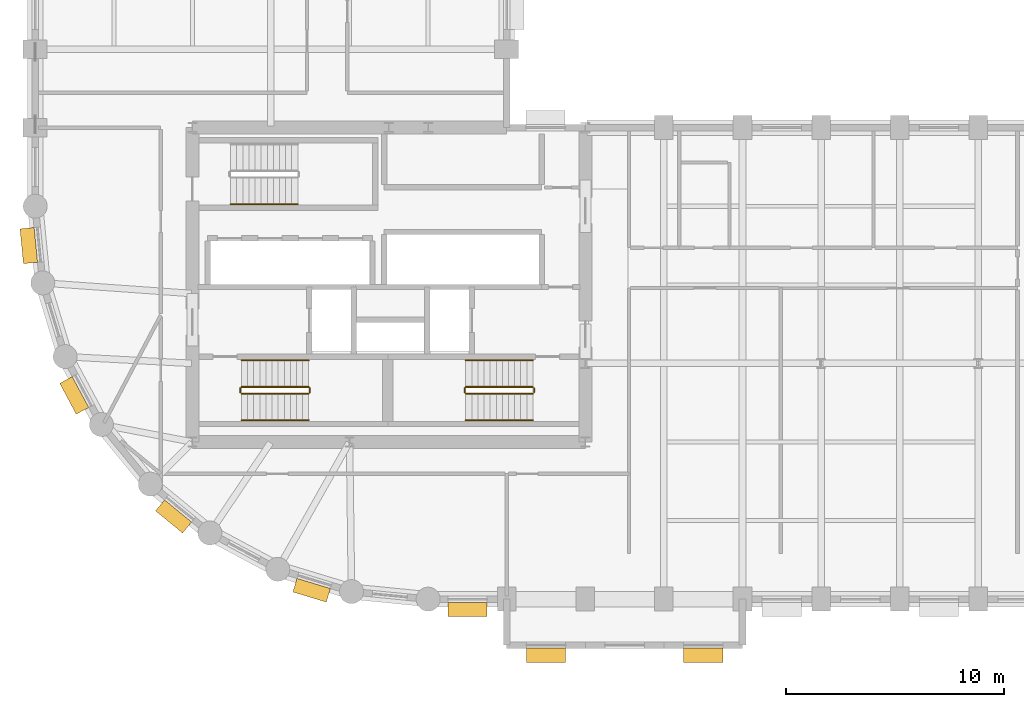
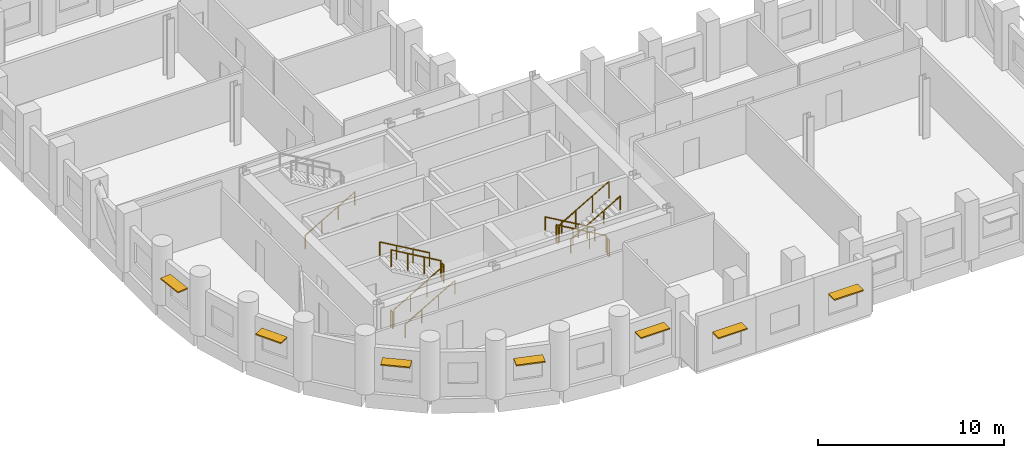
# One storey, part 8 of 10: 13 railings, 7 shading devices.
"""IFC4 building model written with IfcOpenShell, lengths in metres."""

from ifc_helpers import new_model, si_unit, direction, frame, origin, origin_2d, place, context, subcontext, project, spatial, rectangle, circle, extrude, material, layer, layer_set, type_object, element, save


model = new_model("IFC4")

# Units and contexts
model_context = context("Model", 3, precision=1e-05, world=origin(), true_north=direction((0.0, 1.0)))
body_context = subcontext(model_context, "Body", "Model", "MODEL_VIEW")
ifc_project = project(units=[si_unit("LENGTHUNIT", "METRE"), si_unit("AREAUNIT", "SQUARE_METRE"), si_unit("VOLUMEUNIT", "CUBIC_METRE"), si_unit("PLANEANGLEUNIT", "RADIAN"), si_unit("MASSUNIT", "GRAM", prefix="KILO")], contexts=[model_context])

# Site, building, storey
site_placement = place(None, origin())
site = spatial("IfcSite", under=ifc_project, at=site_placement, CompositionType="ELEMENT")
building_placement = place(site_placement, origin())
building = spatial("IfcBuilding", under=site, at=building_placement, Name="Solnavia Interchange Tower", CompositionType="ELEMENT")
storey_placement = place(building_placement, frame((0.0, 0.0, 103.5)))
storey = spatial("IfcBuildingStorey", under=building, at=storey_placement, Name="L25", CompositionType="ELEMENT", Elevation=103.5)

# Railings
ifc_material_1 = material(Name="Painted Steel Balustrade", Category="steel")
railing_type_1 = type_object("IfcRailingType", Name="Railing-StairGuard-1100", PredefinedType="GUARDRAIL", material=ifc_material_1)
railing_1_placement = place(storey_placement, frame((16.64990234375, 13.02001953125, 0.16259765625)))
element("IfcRailing", 1, at=railing_1_placement, inside=storey, type_object=railing_type_1, Name="L25 ST-1 stair guard 1", PredefinedType="GUARDRAIL", context=body_context, shape_type="SweptSolid", body=[
    extrude(circle(Radius=0.02392578125, at=origin_2d()), frame((0.0, 0.0, 1.09619140625), z_axis=(0.864920483161, 0.0, 0.501908913857), x_axis=(0.0, 1.0, 0.0)), (0.0, 0.0, 1.0), 3.56103515625),
    extrude(circle(Radius=0.02099609375, at=origin_2d()), origin(), (0.0, 0.0, 1.0), 1.072021484375),
    extrude(circle(Radius=0.02099609375, at=origin_2d()), frame((1.026611328125, 0.0, 0.595703125)), (0.0, 0.0, 1.0), 1.072021484375),
    extrude(circle(Radius=0.02099609375, at=origin_2d()), frame((2.053466796875, 0.0, 1.191650390625)), (0.0, 0.0, 1.0), 1.072021484375),
    extrude(circle(Radius=0.02099609375, at=origin_2d()), frame((3.080078125, 0.0, 1.787353515625)), (0.0, 0.0, 1.0), 1.072021484375),
])
railing_2_placement = place(storey_placement, frame((19.780029296875, 13.070068359375, 1.949951171875)))
element("IfcRailing", 2, at=railing_2_placement, inside=storey, type_object=railing_type_1, Name="L25 ST-1 stair guard 2", PredefinedType="GUARDRAIL", context=body_context, shape_type="SweptSolid", body=[
    extrude(circle(Radius=0.02392578125, at=origin_2d()), frame((0.0, 0.0, 1.09619140625), z_axis=(0.0, 1.0, 0.0), x_axis=(-1.0, 0.0, 0.0)), (0.0, 0.0, 1.0), 0.199951171875),
    extrude(circle(Radius=0.02099609375, at=origin_2d()), origin(), (0.0, 0.0, 1.0), 1.072021484375),
    extrude(circle(Radius=0.02099609375, at=origin_2d()), frame((0.0, 0.199951171875, 0.0)), (0.0, 0.0, 1.0), 1.072021484375),
])
railing_3_placement = place(storey_placement, frame((19.72998046875, 13.320068359375, 2.112548828125)))
element("IfcRailing", 3, at=railing_3_placement, inside=storey, type_object=railing_type_1, Name="L25 ST-1 stair guard 3", PredefinedType="GUARDRAIL", context=body_context, shape_type="SweptSolid", body=[
    extrude(circle(Radius=0.02392578125, at=origin_2d()), frame((0.0, 0.0, 1.09619140625), z_axis=(-0.864920483161, 0.0, 0.501908913857), x_axis=(0.0, -1.0, 0.0)), (0.0, 0.0, 1.0), 3.56103515625),
    extrude(circle(Radius=0.02099609375, at=origin_2d()), origin(), (0.0, 0.0, 1.0), 1.072021484375),
    extrude(circle(Radius=0.02099609375, at=origin_2d()), frame((-1.026611328125, 0.0, 0.595703125)), (0.0, 0.0, 1.0), 1.072021484375),
    extrude(circle(Radius=0.02099609375, at=origin_2d()), frame((-2.053466796875, 0.0, 1.191650390625)), (0.0, 0.0, 1.0), 1.072021484375),
    extrude(circle(Radius=0.02099609375, at=origin_2d()), frame((-3.080078125, 0.0, 1.787353515625)), (0.0, 0.0, 1.0), 1.072021484375),
])
railing_4_placement = place(storey_placement, frame((16.60009765625, 13.070068359375, 0.0)))
element("IfcRailing", 4, at=railing_4_placement, inside=storey, type_object=railing_type_1, Name="L25 ST-1 stair guard 4", PredefinedType="GUARDRAIL", context=body_context, shape_type="SweptSolid", body=[
    extrude(circle(Radius=0.02392578125, at=origin_2d()), frame((0.0, 0.0, 1.09619140625), z_axis=(0.0, 1.0, 0.0), x_axis=(-1.0, 0.0, 0.0)), (0.0, 0.0, 1.0), 0.199951171875),
    extrude(circle(Radius=0.02099609375, at=origin_2d()), origin(), (0.0, 0.0, 1.0), 1.072021484375),
    extrude(circle(Radius=0.02099609375, at=origin_2d()), frame((0.0, 0.199951171875, 0.0)), (0.0, 0.0, 1.0), 1.072021484375),
])
railing_5_placement = place(storey_placement, frame((30.0, 13.320068359375, 0.16259765625)))
element("IfcRailing", 5, at=railing_5_placement, inside=storey, type_object=railing_type_1, Name="L25 ST-2 stair guard 1", PredefinedType="GUARDRAIL", context=body_context, shape_type="SweptSolid", body=[
    extrude(circle(Radius=0.02392578125, at=origin_2d()), frame((0.0, 0.0, 1.09619140625), z_axis=(-0.864920483161, 0.0, 0.501908913857), x_axis=(0.0, -1.0, 0.0)), (0.0, 0.0, 1.0), 3.56103515625),
    extrude(circle(Radius=0.02099609375, at=origin_2d()), origin(), (0.0, 0.0, 1.0), 1.072021484375),
    extrude(circle(Radius=0.02099609375, at=origin_2d()), frame((-1.026611328125, 0.0, 0.595703125)), (0.0, 0.0, 1.0), 1.072021484375),
    extrude(circle(Radius=0.02099609375, at=origin_2d()), frame((-2.053466796875, 0.0, 1.191650390625)), (0.0, 0.0, 1.0), 1.072021484375),
    extrude(circle(Radius=0.02099609375, at=origin_2d()), frame((-3.080078125, 0.0, 1.787353515625)), (0.0, 0.0, 1.0), 1.072021484375),
])
railing_6_placement = place(storey_placement, frame((26.8701171875, 13.27001953125, 1.949951171875)))
element("IfcRailing", 6, at=railing_6_placement, inside=storey, type_object=railing_type_1, Name="L25 ST-2 stair guard 2", PredefinedType="GUARDRAIL", context=body_context, shape_type="SweptSolid", body=[
    extrude(circle(Radius=0.02392578125, at=origin_2d()), frame((0.0, 0.0, 1.09619140625), z_axis=(0.0, -1.0, 0.0), x_axis=(1.0, 0.0, 0.0)), (0.0, 0.0, 1.0), 0.199951171875),
    extrude(circle(Radius=0.02099609375, at=origin_2d()), origin(), (0.0, 0.0, 1.0), 1.072021484375),
    extrude(circle(Radius=0.02099609375, at=origin_2d()), frame((0.0, -0.199951171875, 0.0)), (0.0, 0.0, 1.0), 1.072021484375),
])
railing_7_placement = place(storey_placement, frame((26.919921875, 13.02001953125, 2.112548828125)))
element("IfcRailing", 7, at=railing_7_placement, inside=storey, type_object=railing_type_1, Name="L25 ST-2 stair guard 3", PredefinedType="GUARDRAIL", context=body_context, shape_type="SweptSolid", body=[
    extrude(circle(Radius=0.02392578125, at=origin_2d()), frame((0.0, 0.0, 1.09619140625), z_axis=(0.864920483161, 0.0, 0.501908913857), x_axis=(0.0, 1.0, 0.0)), (0.0, 0.0, 1.0), 3.56103515625),
    extrude(circle(Radius=0.02099609375, at=origin_2d()), origin(), (0.0, 0.0, 1.0), 1.072021484375),
    extrude(circle(Radius=0.02099609375, at=origin_2d()), frame((1.026611328125, 0.0, 0.595703125)), (0.0, 0.0, 1.0), 1.072021484375),
    extrude(circle(Radius=0.02099609375, at=origin_2d()), frame((2.053466796875, 0.0, 1.191650390625)), (0.0, 0.0, 1.0), 1.072021484375),
    extrude(circle(Radius=0.02099609375, at=origin_2d()), frame((3.080078125, 0.0, 1.787353515625)), (0.0, 0.0, 1.0), 1.072021484375),
])
railing_8_placement = place(storey_placement, frame((30.050048828125, 13.27001953125, 0.0)))
element("IfcRailing", 8, at=railing_8_placement, inside=storey, type_object=railing_type_1, Name="L25 ST-2 stair guard 4", PredefinedType="GUARDRAIL", context=body_context, shape_type="SweptSolid", body=[
    extrude(circle(Radius=0.02392578125, at=origin_2d()), frame((0.0, 0.0, 1.09619140625), z_axis=(0.0, -1.0, 0.0), x_axis=(1.0, 0.0, 0.0)), (0.0, 0.0, 1.0), 0.199951171875),
    extrude(circle(Radius=0.02099609375, at=origin_2d()), origin(), (0.0, 0.0, 1.0), 1.072021484375),
    extrude(circle(Radius=0.02099609375, at=origin_2d()), frame((0.0, -0.199951171875, 0.0)), (0.0, 0.0, 1.0), 1.072021484375),
])
ifc_material_2 = material(Name="Brushed Stainless Steel", Category="steel")
railing_type_2 = type_object("IfcRailingType", Name="Railing-StairHandrail-900", PredefinedType="HANDRAIL", material=ifc_material_2)
railing_9_placement = place(storey_placement, frame((16.64990234375, 11.800048828125, 0.16259765625)))
element("IfcRailing", 9, at=railing_9_placement, inside=storey, type_object=railing_type_2, Name="L25 ST-1 stair handrail 1", PredefinedType="HANDRAIL", context=body_context, shape_type="SweptSolid", body=[
    extrude(circle(Radius=0.02392578125, at=origin_2d()), frame((0.0, 0.0, 0.8759765625), z_axis=(0.864920483161, 0.0, 0.501908913857), x_axis=(0.0, 1.0, 0.0)), (0.0, 0.0, 1.0), 3.56103515625),
    extrude(circle(Radius=0.02099609375, at=origin_2d()), origin(), (0.0, 0.0, 1.0), 0.851806640625),
    extrude(circle(Radius=0.02099609375, at=origin_2d()), frame((1.026611328125, 0.0, 0.595703125)), (0.0, 0.0, 1.0), 0.851806640625),
    extrude(circle(Radius=0.02099609375, at=origin_2d()), frame((2.053466796875, 0.0, 1.191650390625)), (0.0, 0.0, 1.0), 0.851806640625),
    extrude(circle(Radius=0.02099609375, at=origin_2d()), frame((3.080078125, 0.0, 1.787353515625)), (0.0, 0.0, 1.0), 0.851806640625),
])
for number, where, name in (
    (10, (19.72998046875, 14.5400390625, 2.112548828125), "L25 ST-1 stair handrail 2"),
    (11, (30.0, 14.5400390625, 0.16259765625), "L25 ST-2 stair handrail 1"),
):
    element("IfcRailing", number, at=place(storey_placement, frame(where)), inside=storey, type_object=railing_type_2, Name=name, PredefinedType="HANDRAIL", context=body_context, shape_type="SweptSolid", body=[
        extrude(circle(Radius=0.02392578125, at=origin_2d()), frame((0.0, 0.0, 0.8759765625), z_axis=(-0.864920483161, 0.0, 0.501908913857), x_axis=(0.0, -1.0, 0.0)), (0.0, 0.0, 1.0), 3.56103515625),
        extrude(circle(Radius=0.02099609375, at=origin_2d()), origin(), (0.0, 0.0, 1.0), 0.851806640625),
        extrude(circle(Radius=0.02099609375, at=origin_2d()), frame((-1.026611328125, 0.0, 0.595703125)), (0.0, 0.0, 1.0), 0.851806640625),
        extrude(circle(Radius=0.02099609375, at=origin_2d()), frame((-2.053466796875, 0.0, 1.191650390625)), (0.0, 0.0, 1.0), 0.851806640625),
        extrude(circle(Radius=0.02099609375, at=origin_2d()), frame((-3.080078125, 0.0, 1.787353515625)), (0.0, 0.0, 1.0), 0.851806640625),
    ])
for number, where, name in (
    (12, (26.919921875, 11.800048828125, 2.112548828125), "L25 ST-2 stair handrail 2"),
    (13, (16.14990234375, 21.699951171875, 0.16259765625), "L25 ST-3 stair handrail 1"),
):
    element("IfcRailing", number, at=place(storey_placement, frame(where)), inside=storey, type_object=railing_type_2, Name=name, PredefinedType="HANDRAIL", context=body_context, shape_type="SweptSolid", body=[
        extrude(circle(Radius=0.02392578125, at=origin_2d()), frame((0.0, 0.0, 0.8759765625), z_axis=(0.864920483161, 0.0, 0.501908913857), x_axis=(0.0, 1.0, 0.0)), (0.0, 0.0, 1.0), 3.56103515625),
        extrude(circle(Radius=0.02099609375, at=origin_2d()), origin(), (0.0, 0.0, 1.0), 0.851806640625),
        extrude(circle(Radius=0.02099609375, at=origin_2d()), frame((1.026611328125, 0.0, 0.595703125)), (0.0, 0.0, 1.0), 0.851806640625),
        extrude(circle(Radius=0.02099609375, at=origin_2d()), frame((2.053466796875, 0.0, 1.191650390625)), (0.0, 0.0, 1.0), 0.851806640625),
        extrude(circle(Radius=0.02099609375, at=origin_2d()), frame((3.080078125, 0.0, 1.787353515625)), (0.0, 0.0, 1.0), 0.851806640625),
    ])

# Shading devices
ifc_material_3 = material(Name="Anodised Aluminium Sunshade", Category="aluminium")
ifc_layer = layer(ifc_material_3, 0.080078125)
ifc_layer_set = layer_set([ifc_layer], Name="Anodised Aluminium Sunshade")
shading_device_type = type_object("IfcShadingDeviceType", Name="Sunshade-Band-650", PredefinedType="SHUTTER", material=ifc_layer_set)
for number, where, z_axis, x_axis, name in (
    (14, (27.0, 3.1298828125, 2.219970703125), (0.0, 0.0, 1.0), (-1.0, 0.0, 0.0), "SHD-L25-01 Horizontal sunshade band"),
    (15, (30.60009765625, 1.030029296875, 2.219970703125), (0.0, 0.0, 1.0), (-1.0, 0.0, 0.0), "SHD-L25-03 Horizontal sunshade band"),
    (16, (37.800048828125, 1.030029296875, 2.219970703125), (0.0, 0.0, 1.0), (-1.0, 0.0, 0.0), "SHD-L25-05 Horizontal sunshade band"),
):
    element("IfcShadingDevice", number, at=place(storey_placement, frame(where, z_axis=z_axis, x_axis=x_axis)), inside=storey, type_object=shading_device_type, Name=name, PredefinedType="SHUTTER", context=body_context, shape_type="SweptSolid", body=[
        extrude(rectangle(XDim=1.800048828125, YDim=0.64990234375, at=origin_2d()), origin(), (0.0, 0.0, 1.0), 0.080078125),
    ])
for number, where, z_axis, x_axis, name in (
    (17, (6.9052734375, 19.79833984375, 2.219970703125), (0.0, 0.0, 1.0), (-0.098103986207, 0.995176169274, 0.0), "SHD-L25-53 Horizontal sunshade band"),
    (18, (8.98779296875, 12.93408203125, 2.219970703125), (0.0, 0.0, 1.0), (-0.47147369718, 0.881880123865, 0.0), "SHD-L25-55 Horizontal sunshade band"),
    (19, (13.5380859375, 7.389404296875, 2.219970703125), (0.0, 0.0, 1.0), (-0.773176510644, 0.634190888762, 0.0), "SHD-L25-57 Horizontal sunshade band"),
    (20, (19.863525390625, 4.00830078125, 2.219970703125), (0.0, 0.0, 1.0), (-0.956965664205, 0.290201167351, 0.0), "SHD-L25-59 Horizontal sunshade band"),
):
    element("IfcShadingDevice", number, at=place(storey_placement, frame(where, z_axis=z_axis, x_axis=x_axis)), inside=storey, type_object=shading_device_type, Name=name, PredefinedType="SHUTTER", context=body_context, shape_type="SweptSolid", body=[
        extrude(rectangle(XDim=1.60009765625, YDim=0.64990234375, at=origin_2d()), origin(), (0.0, 0.0, 1.0), 0.080078125),
    ])

save(model, "model.ifc")
